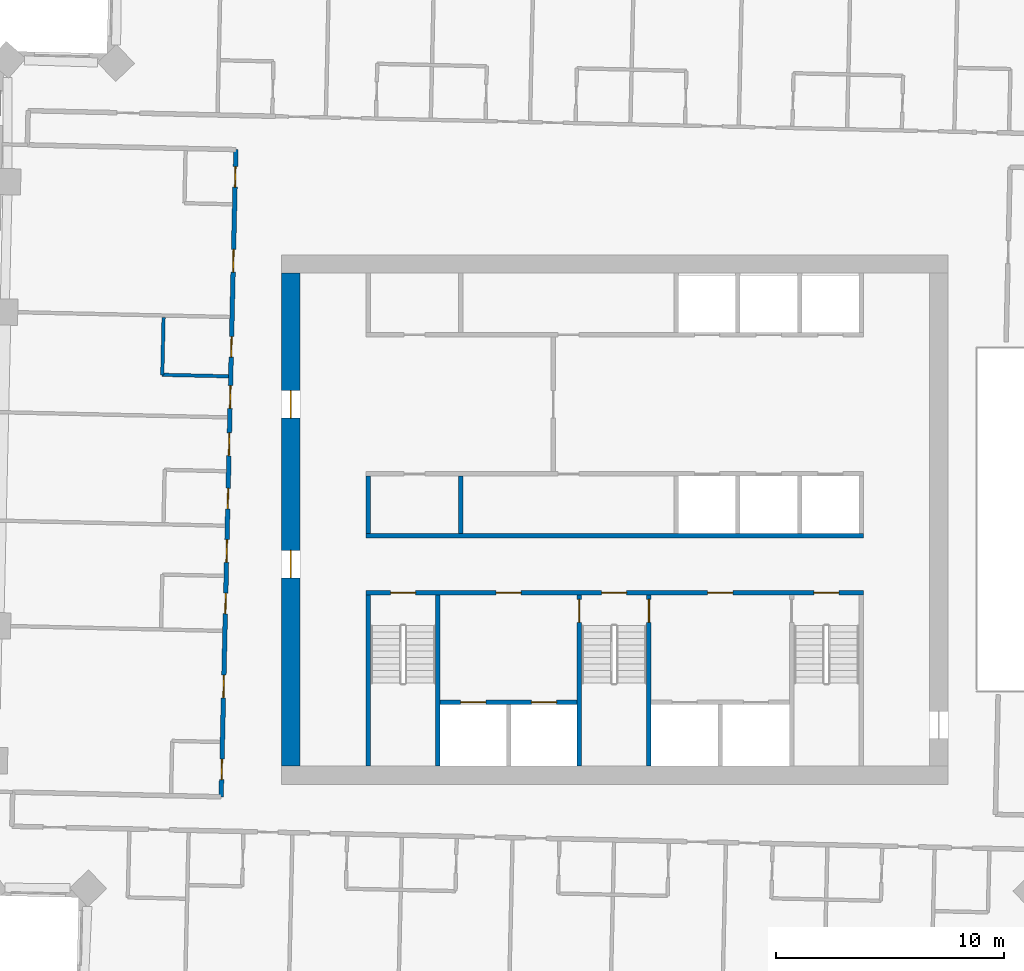
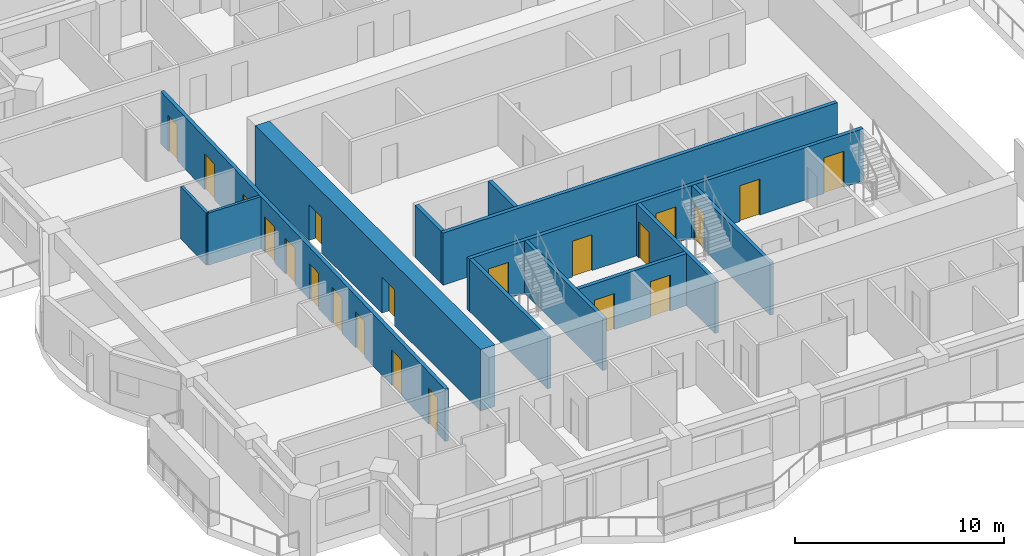
# One storey, part 8 of 16: 21 doors, 13 walls, 21 openings.
"""IFC4 building model written with IfcOpenShell, lengths in metres."""

from ifc_helpers import new_model, si_unit, direction, frame, frame_2d, origin, place, context, subcontext, project, spatial, rectangle, extrude, material, layer, layer_set, type_object, element, fill, save


model = new_model("IFC4")

# Units and contexts
model_context = context("Model", 3, precision=1e-05, world=origin(), true_north=direction((0.0, 1.0)))
body_context = subcontext(model_context, "Body", "Model", "MODEL_VIEW")
ifc_project = project(units=[si_unit("LENGTHUNIT", "METRE"), si_unit("AREAUNIT", "SQUARE_METRE"), si_unit("VOLUMEUNIT", "CUBIC_METRE"), si_unit("PLANEANGLEUNIT", "RADIAN"), si_unit("MASSUNIT", "GRAM", prefix="KILO")], contexts=[model_context])

# Site, building, storey
site_placement = place(None, origin())
site = spatial("IfcSite", under=ifc_project, at=site_placement, CompositionType="ELEMENT")
building_placement = place(site_placement, origin())
building = spatial("IfcBuilding", under=site, at=building_placement, Name="Mangrove Gate Tower", CompositionType="ELEMENT")
storey_placement = place(building_placement, frame((0.0, 0.0, 197.89990234375)))
storey = spatial("IfcBuildingStorey", under=building, at=storey_placement, Name="L50", CompositionType="ELEMENT", Elevation=197.89990234375)

# Walls
ifc_material_1 = material(Name="Concrete C32/40", Category="concrete")
ifc_layer_1 = layer(ifc_material_1, 0.199951171875)
ifc_layer_set_1 = layer_set([ifc_layer_1], Name="Core room wall 200 C32/40")
wall_type_1 = type_object("IfcWallType", Name="Core room wall 200 C32/40", PredefinedType="STANDARD", material=ifc_layer_set_1)
for number, where, z_axis, x_axis, name in (
    (1, (-10.800048828125, -0.60009765625, 0.0), (0.0, 0.0, 1.0), (0.0, 1.0, 0.0), "WALL-L50-CORE-19"),
    (2, (-6.75, -0.60009765625, 0.0), (0.0, 0.0, 1.0), (0.0, 1.0, 0.0), "WALL-L50-CORE-20"),
):
    element("IfcWall", number, at=place(storey_placement, frame(where, z_axis=z_axis, x_axis=x_axis)), inside=storey, type_object=wall_type_1, Name=name, PredefinedType="STANDARD", context=body_context, shape_type="SweptSolid", body=[
        extrude(rectangle(XDim=2.5, YDim=0.199951171875, at=frame_2d((1.25, 0.0))), origin(), (0.0, 0.0, 1.0), 3.050048828125),
    ])
ifc_material_2 = material(Name="Concrete C60/75", Category="concrete")
ifc_layer_2 = layer(ifc_material_2, 0.199951171875)
ifc_layer_set_2 = layer_set([ifc_layer_2], Name="Core shaft wall 200 C60/75")
wall_type_2 = type_object("IfcWallType", Name="Core shaft wall 200 C60/75", PredefinedType="SHEAR", material=ifc_layer_set_2)
wall_1_placement = place(storey_placement, frame((-10.89990234375, -0.699951171875, 0.0), z_axis=(0.0, 0.0, 1.0), x_axis=(1.0, 0.0, 0.0)))
element("IfcWall", 3, at=wall_1_placement, inside=storey, type_object=wall_type_2, Name="WALL-L50-CORE-6", PredefinedType="SHEAR", context=body_context, shape_type="SweptSolid", body=[
    extrude(rectangle(XDim=21.7998046875, YDim=0.199951171875, at=frame_2d((10.89990234375, 0.0))), origin(), (0.0, 0.0, 1.0), 3.050048828125),
])

# Wall, openings, doors
wall_2_placement = place(storey_placement, frame((-7.64990234375, -8.0, 0.0), z_axis=(0.0, 0.0, 1.0), x_axis=(1.0, 0.0, 0.0)))
wall_2 = element("IfcWall", 4, at=wall_2_placement, inside=storey, type_object=wall_type_2, Name="WALL-L50-CORE-15", PredefinedType="SHEAR", context=body_context, shape_type="SweptSolid", body=[
    extrude(rectangle(XDim=6.0, YDim=0.199951171875, at=frame_2d((3.0, 0.0))), origin(), (0.0, 0.0, 1.0), 3.050048828125),
])
opening_1_placement = place(wall_2_placement, frame((0.89990234375, 0.0, 0.0)))
opening_1 = element("IfcOpeningElement", 5, at=opening_1_placement, cuts=wall_2, Name="Opening LD", PredefinedType="OPENING", context=body_context, shape_type="SweptSolid", body=[
    extrude(rectangle(XDim=1.10009765625, YDim=2.10009765625, at=frame_2d((0.550048828125, 1.050048828125))), frame((0.0, 0.10986328125, 0.0), z_axis=(0.0, -1.0, 0.0), x_axis=(1.0, 0.0, 0.0)), (0.0, 0.0, 1.0), 0.219970703125),
])
opening_2_placement = place(wall_2_placement, frame((4.0, 0.0, 0.0)))
opening_2 = element("IfcOpeningElement", 6, at=opening_2_placement, cuts=wall_2, Name="Opening LD", PredefinedType="OPENING", context=body_context, shape_type="SweptSolid", body=[
    extrude(rectangle(XDim=1.10009765625, YDim=2.10009765625, at=frame_2d((0.550048828125, 1.050048828125))), frame((0.0, 0.10986328125, 0.0), z_axis=(0.0, -1.0, 0.0), x_axis=(1.0, 0.0, 0.0)), (0.0, 0.0, 1.0), 0.219970703125),
])
ifc_material_3 = material(Name="Stainless steel 316", Category="steel")
door_type_1 = type_object("IfcDoorType", Name="Lift landing door 1100x2100", OperationType="SLIDING_TO_LEFT", PredefinedType="DOOR", material=ifc_material_3)
door_1_placement = place(opening_1_placement, origin())
door_1 = element("IfcDoor", 7, at=door_1_placement, inside=storey, type_object=door_type_1, Name="Landing door LD SVL1", OperationType="SLIDING_TO_LEFT", OverallHeight=2.10009765625, OverallWidth=1.10009765625, PredefinedType="DOOR", context=body_context, shape_type="SweptSolid", body=[
    extrude(rectangle(XDim=1.10009765625, YDim=2.10009765625, at=frame_2d((0.550048828125, 1.050048828125))), frame((0.0, 0.02490234375, 0.0), z_axis=(0.0, -1.0, 0.0), x_axis=(1.0, 0.0, 0.0)), (0.0, 0.0, 1.0), 0.050048828125),
])
fill(opening_1, door_1)
door_2_placement = place(opening_2_placement, origin())
door_2 = element("IfcDoor", 8, at=door_2_placement, inside=storey, type_object=door_type_1, Name="Landing door LD SVL2", OperationType="SLIDING_TO_LEFT", OverallHeight=2.10009765625, OverallWidth=1.10009765625, PredefinedType="DOOR", context=body_context, shape_type="SweptSolid", body=[
    extrude(rectangle(XDim=1.10009765625, YDim=2.10009765625, at=frame_2d((0.550048828125, 1.050048828125))), frame((0.0, 0.02490234375, 0.0), z_axis=(0.0, -1.0, 0.0), x_axis=(1.0, 0.0, 0.0)), (0.0, 0.0, 1.0), 0.050048828125),
])
fill(opening_2, door_2)

ifc_material_4 = material(Name="Concrete C60/75", Category="concrete")
ifc_layer_3 = layer(ifc_material_4, 0.199951171875)
ifc_layer_set_3 = layer_set([ifc_layer_3], Name="Core stair wall 200 C60/75")
wall_type_3 = type_object("IfcWallType", Name="Core stair wall 200 C60/75", PredefinedType="SHEAR", material=ifc_layer_set_3)
wall_3_placement = place(storey_placement, frame((-10.89990234375, -3.199951171875, 0.0), z_axis=(0.0, 0.0, 1.0), x_axis=(1.0, 0.0, 0.0)))
wall_3 = element("IfcWall", 9, at=wall_3_placement, inside=storey, type_object=wall_type_3, Name="WALL-L50-CORE-5", PredefinedType="SHEAR", context=body_context, shape_type="SweptSolid", body=[
    extrude(rectangle(XDim=21.7998046875, YDim=0.199951171875, at=frame_2d((10.89990234375, 0.0))), origin(), (0.0, 0.0, 1.0), 3.050048828125),
])
opening_3_placement = place(wall_3_placement, frame((1.074951171875, 0.0, 0.0)))
opening_3 = element("IfcOpeningElement", 10, at=opening_3_placement, cuts=wall_3, Name="Opening STD11", PredefinedType="OPENING", context=body_context, shape_type="SweptSolid", body=[
    extrude(rectangle(XDim=1.10009765625, YDim=2.10009765625, at=frame_2d((0.550048828125, 1.050048828125))), frame((0.0, 0.10986328125, 0.0), z_axis=(0.0, -1.0, 0.0), x_axis=(1.0, 0.0, 0.0)), (0.0, 0.0, 1.0), 0.219970703125),
])
opening_4_placement = place(wall_3_placement, frame((10.324951171875, 0.0, 0.0)))
opening_4 = element("IfcOpeningElement", 11, at=opening_4_placement, cuts=wall_3, Name="Opening STD11", PredefinedType="OPENING", context=body_context, shape_type="SweptSolid", body=[
    extrude(rectangle(XDim=1.10009765625, YDim=2.10009765625, at=frame_2d((0.550048828125, 1.050048828125))), frame((0.0, 0.10986328125, 0.0), z_axis=(0.0, -1.0, 0.0), x_axis=(1.0, 0.0, 0.0)), (0.0, 0.0, 1.0), 0.219970703125),
])
opening_5_placement = place(wall_3_placement, frame((19.625, 0.0, 0.0)))
opening_5 = element("IfcOpeningElement", 12, at=opening_5_placement, cuts=wall_3, Name="Opening STD11", PredefinedType="OPENING", context=body_context, shape_type="SweptSolid", body=[
    extrude(rectangle(XDim=1.10009765625, YDim=2.10009765625, at=frame_2d((0.550048828125, 1.050048828125))), frame((0.0, 0.10986328125, 0.0), z_axis=(0.0, -1.0, 0.0), x_axis=(1.0, 0.0, 0.0)), (0.0, 0.0, 1.0), 0.219970703125),
])
opening_6_placement = place(wall_3_placement, frame((5.699951171875, 0.0, 0.0)))
opening_6 = element("IfcOpeningElement", 13, at=opening_6_placement, cuts=wall_3, Name="Opening FL", PredefinedType="OPENING", context=body_context, shape_type="SweptSolid", body=[
    extrude(rectangle(XDim=1.10009765625, YDim=2.10009765625, at=frame_2d((0.550048828125, 1.050048828125))), frame((0.0, 0.10986328125, 0.0), z_axis=(0.0, -1.0, 0.0), x_axis=(1.0, 0.0, 0.0)), (0.0, 0.0, 1.0), 0.219970703125),
])
opening_7_placement = place(wall_3_placement, frame((14.97509765625, 0.0, 0.0)))
opening_7 = element("IfcOpeningElement", 14, at=opening_7_placement, cuts=wall_3, Name="Opening FL", PredefinedType="OPENING", context=body_context, shape_type="SweptSolid", body=[
    extrude(rectangle(XDim=1.10009765625, YDim=2.10009765625, at=frame_2d((0.550048828125, 1.050048828125))), frame((0.0, 0.10986328125, 0.0), z_axis=(0.0, -1.0, 0.0), x_axis=(1.0, 0.0, 0.0)), (0.0, 0.0, 1.0), 0.219970703125),
])
ifc_material_5 = material(Name="Fire-rated steel door set", Category="steel")
door_type_2 = type_object("IfcDoorType", Name="Lobby door FD60 1100x2100", OperationType="SINGLE_SWING_LEFT", PredefinedType="DOOR", material=ifc_material_5)
door_3_placement = place(opening_6_placement, origin())
door_3 = element("IfcDoor", 15, at=door_3_placement, inside=storey, type_object=door_type_2, Name="Lobby door service lobby", OperationType="SINGLE_SWING_LEFT", OverallHeight=2.10009765625, OverallWidth=1.10009765625, PredefinedType="DOOR", context=body_context, shape_type="SweptSolid", body=[
    extrude(rectangle(XDim=1.10009765625, YDim=2.10009765625, at=frame_2d((0.550048828125, 1.050048828125))), frame((0.0, 0.02490234375, 0.0), z_axis=(0.0, -1.0, 0.0), x_axis=(1.0, 0.0, 0.0)), (0.0, 0.0, 1.0), 0.050048828125),
])
fill(opening_6, door_3)
door_4_placement = place(opening_7_placement, origin())
door_4 = element("IfcDoor", 16, at=door_4_placement, inside=storey, type_object=door_type_2, Name="Lobby door fire-fighting lobby", OperationType="SINGLE_SWING_LEFT", OverallHeight=2.10009765625, OverallWidth=1.10009765625, PredefinedType="DOOR", context=body_context, shape_type="SweptSolid", body=[
    extrude(rectangle(XDim=1.10009765625, YDim=2.10009765625, at=frame_2d((0.550048828125, 1.050048828125))), frame((0.0, 0.02490234375, 0.0), z_axis=(0.0, -1.0, 0.0), x_axis=(1.0, 0.0, 0.0)), (0.0, 0.0, 1.0), 0.050048828125),
])
fill(opening_7, door_4)
ifc_material_6 = material(Name="Fire-rated steel door set", Category="steel")
door_type_3 = type_object("IfcDoorType", Name="Stair door FD60 1100x2100", OperationType="SINGLE_SWING_RIGHT", PredefinedType="DOOR", material=ifc_material_6)
door_5_placement = place(opening_3_placement, origin())
door_5 = element("IfcDoor", 17, at=door_5_placement, inside=storey, type_object=door_type_3, Name="Stair door Stair 1", OperationType="SINGLE_SWING_RIGHT", OverallHeight=2.10009765625, OverallWidth=1.10009765625, PredefinedType="DOOR", context=body_context, shape_type="SweptSolid", body=[
    extrude(rectangle(XDim=1.10009765625, YDim=2.10009765625, at=frame_2d((0.550048828125, 1.050048828125))), frame((0.0, 0.02490234375, 0.0), z_axis=(0.0, -1.0, 0.0), x_axis=(1.0, 0.0, 0.0)), (0.0, 0.0, 1.0), 0.050048828125),
])
fill(opening_3, door_5)
door_6_placement = place(opening_4_placement, origin())
door_6 = element("IfcDoor", 18, at=door_6_placement, inside=storey, type_object=door_type_3, Name="Stair door Stair 2", OperationType="SINGLE_SWING_RIGHT", OverallHeight=2.10009765625, OverallWidth=1.10009765625, PredefinedType="DOOR", context=body_context, shape_type="SweptSolid", body=[
    extrude(rectangle(XDim=1.10009765625, YDim=2.10009765625, at=frame_2d((0.550048828125, 1.050048828125))), frame((0.0, 0.02490234375, 0.0), z_axis=(0.0, -1.0, 0.0), x_axis=(1.0, 0.0, 0.0)), (0.0, 0.0, 1.0), 0.050048828125),
])
fill(opening_4, door_6)
door_7_placement = place(opening_5_placement, origin())
door_7 = element("IfcDoor", 19, at=door_7_placement, inside=storey, type_object=door_type_3, Name="Stair door Stair 3", OperationType="SINGLE_SWING_RIGHT", OverallHeight=2.10009765625, OverallWidth=1.10009765625, PredefinedType="DOOR", context=body_context, shape_type="SweptSolid", body=[
    extrude(rectangle(XDim=1.10009765625, YDim=2.10009765625, at=frame_2d((0.550048828125, 1.050048828125))), frame((0.0, 0.02490234375, 0.0), z_axis=(0.0, -1.0, 0.0), x_axis=(1.0, 0.0, 0.0)), (0.0, 0.0, 1.0), 0.050048828125),
])
fill(opening_5, door_7)

# Walls
for number, where, z_axis, x_axis, name in (
    (20, (-10.800048828125, -10.800048828125, 0.0), (0.0, 0.0, 1.0), (0.0, 1.0, 0.0), "WALL-L50-CORE-9"),
    (21, (-7.75, -10.800048828125, 0.0), (0.0, 0.0, 1.0), (0.0, 1.0, 0.0), "WALL-L50-CORE-10"),
):
    element("IfcWall", number, at=place(storey_placement, frame(where, z_axis=z_axis, x_axis=x_axis)), inside=storey, type_object=wall_type_3, Name=name, PredefinedType="SHEAR", context=body_context, shape_type="SweptSolid", body=[
        extrude(rectangle(XDim=7.5, YDim=0.199951171875, at=frame_2d((3.75, 0.0))), origin(), (0.0, 0.0, 1.0), 3.050048828125),
    ])

# Wall, opening, door
wall_4_placement = place(storey_placement, frame((-1.550048828125, -10.800048828125, 0.0), z_axis=(0.0, 0.0, 1.0), x_axis=(0.0, 1.0, 0.0)))
wall_4 = element("IfcWall", 22, at=wall_4_placement, inside=storey, type_object=wall_type_3, Name="WALL-L50-CORE-11", PredefinedType="SHEAR", context=body_context, shape_type="SweptSolid", body=[
    extrude(rectangle(XDim=7.5, YDim=0.199951171875, at=frame_2d((3.75, 0.0))), origin(), (0.0, 0.0, 1.0), 3.050048828125),
])
opening_8_placement = place(wall_4_placement, frame((6.300048828125, 0.0, 0.0)))
opening_8 = element("IfcOpeningElement", 23, at=opening_8_placement, cuts=wall_4, Name="Opening STD10", PredefinedType="OPENING", context=body_context, shape_type="SweptSolid", body=[
    extrude(rectangle(XDim=1.0, YDim=2.10009765625, at=frame_2d((0.5, 1.050048828125))), frame((0.0, 0.10986328125, 0.0), z_axis=(0.0, -1.0, 0.0), x_axis=(1.0, 0.0, 0.0)), (0.0, 0.0, 1.0), 0.219970703125),
])
ifc_material_7 = material(Name="Fire-rated steel door set", Category="steel")
door_type_4 = type_object("IfcDoorType", Name="Stair door FD60 1000x2100", OperationType="SINGLE_SWING_RIGHT", PredefinedType="DOOR", material=ifc_material_7)
door_8_placement = place(opening_8_placement, origin())
door_8 = element("IfcDoor", 24, at=door_8_placement, inside=storey, type_object=door_type_4, Name="Stair door Stair 2 from service lobby", OperationType="SINGLE_SWING_RIGHT", OverallHeight=2.10009765625, OverallWidth=1.0, PredefinedType="DOOR", context=body_context, shape_type="SweptSolid", body=[
    extrude(rectangle(XDim=1.0, YDim=2.10009765625, at=frame_2d((0.5, 1.050048828125))), frame((0.0, 0.02490234375, 0.0), z_axis=(0.0, -1.0, 0.0), x_axis=(1.0, 0.0, 0.0)), (0.0, 0.0, 1.0), 0.050048828125),
])
fill(opening_8, door_8)

wall_5_placement = place(storey_placement, frame((1.5, -10.800048828125, 0.0), z_axis=(0.0, 0.0, 1.0), x_axis=(0.0, 1.0, 0.0)))
wall_5 = element("IfcWall", 25, at=wall_5_placement, inside=storey, type_object=wall_type_3, Name="WALL-L50-CORE-12", PredefinedType="SHEAR", context=body_context, shape_type="SweptSolid", body=[
    extrude(rectangle(XDim=7.5, YDim=0.199951171875, at=frame_2d((3.75, 0.0))), origin(), (0.0, 0.0, 1.0), 3.050048828125),
])
opening_9_placement = place(wall_5_placement, frame((6.300048828125, 0.0, 0.0)))
opening_9 = element("IfcOpeningElement", 26, at=opening_9_placement, cuts=wall_5, Name="Opening STD10", PredefinedType="OPENING", context=body_context, shape_type="SweptSolid", body=[
    extrude(rectangle(XDim=1.0, YDim=2.10009765625, at=frame_2d((0.5, 1.050048828125))), frame((0.0, 0.10986328125, 0.0), z_axis=(0.0, -1.0, 0.0), x_axis=(1.0, 0.0, 0.0)), (0.0, 0.0, 1.0), 0.219970703125),
])
door_9_placement = place(opening_9_placement, origin())
door_9 = element("IfcDoor", 27, at=door_9_placement, inside=storey, type_object=door_type_4, Name="Stair door Stair 2 from fire-fighting lobby", OperationType="SINGLE_SWING_RIGHT", OverallHeight=2.10009765625, OverallWidth=1.0, PredefinedType="DOOR", context=body_context, shape_type="SweptSolid", body=[
    extrude(rectangle(XDim=1.0, YDim=2.10009765625, at=frame_2d((0.5, 1.050048828125))), frame((0.0, 0.02490234375, 0.0), z_axis=(0.0, -1.0, 0.0), x_axis=(1.0, 0.0, 0.0)), (0.0, 0.0, 1.0), 0.050048828125),
])
fill(opening_9, door_9)

# Wall, openings, doors
ifc_material_8 = material(Name="Concrete C60/75", Category="concrete")
ifc_layer_4 = layer(ifc_material_8, 0.800048828125)
ifc_layer_set_4 = layer_set([ifc_layer_4], Name="Core wall 800 C60/75")
wall_type_4 = type_object("IfcWallType", Name="Core wall 800 C60/75", PredefinedType="SHEAR", material=ifc_layer_set_4)
wall_6_placement = place(storey_placement, frame((-14.199951171875, -10.800048828125, 0.0), z_axis=(0.0, 0.0, 1.0), x_axis=(0.0, 1.0, 0.0)))
wall_6 = element("IfcWall", 28, at=wall_6_placement, inside=storey, type_object=wall_type_4, Name="WALL-L50-CORE-3", PredefinedType="SHEAR", context=body_context, shape_type="SweptSolid", body=[
    extrude(rectangle(XDim=21.60009765625, YDim=0.800048828125, at=frame_2d((10.800048828125, 0.0))), origin(), (0.0, 0.0, 1.0), 3.60009765625),
])
opening_10_placement = place(wall_6_placement, frame((8.25, 0.0, 0.0)))
opening_10 = element("IfcOpeningElement", 29, at=opening_10_placement, cuts=wall_6, Name="Opening CD", PredefinedType="OPENING", context=body_context, shape_type="SweptSolid", body=[
    extrude(rectangle(XDim=1.199951171875, YDim=2.10009765625, at=frame_2d((0.60009765625, 1.050048828125))), frame((0.0, 0.409912109375, 0.0), z_axis=(0.0, -1.0, 0.0), x_axis=(1.0, 0.0, 0.0)), (0.0, 0.0, 1.0), 0.820068359375),
])
opening_11_placement = place(wall_6_placement, frame((15.25, 0.0, 0.0)))
opening_11 = element("IfcOpeningElement", 30, at=opening_11_placement, cuts=wall_6, Name="Opening CD", PredefinedType="OPENING", context=body_context, shape_type="SweptSolid", body=[
    extrude(rectangle(XDim=1.199951171875, YDim=2.10009765625, at=frame_2d((0.60009765625, 1.050048828125))), frame((0.0, 0.409912109375, 0.0), z_axis=(0.0, -1.0, 0.0), x_axis=(1.0, 0.0, 0.0)), (0.0, 0.0, 1.0), 0.820068359375),
])
ifc_material_9 = material(Name="Fire-rated steel door set", Category="steel")
door_type_5 = type_object("IfcDoorType", Name="Core ring door FD60 1200x2100", OperationType="DOUBLE_DOOR_SINGLE_SWING", PredefinedType="DOOR", material=ifc_material_9)
door_10_placement = place(opening_10_placement, origin())
door_10 = element("IfcDoor", 31, at=door_10_placement, inside=storey, type_object=door_type_5, Name="Core ring door W1", OperationType="DOUBLE_DOOR_SINGLE_SWING", OverallHeight=2.10009765625, OverallWidth=1.199951171875, PredefinedType="DOOR", context=body_context, shape_type="SweptSolid", body=[
    extrude(rectangle(XDim=1.199951171875, YDim=2.10009765625, at=frame_2d((0.60009765625, 1.050048828125))), frame((0.0, 0.02490234375, 0.0), z_axis=(0.0, -1.0, 0.0), x_axis=(1.0, 0.0, 0.0)), (0.0, 0.0, 1.0), 0.050048828125),
])
fill(opening_10, door_10)
door_11_placement = place(opening_11_placement, origin())
door_11 = element("IfcDoor", 32, at=door_11_placement, inside=storey, type_object=door_type_5, Name="Core ring door W2", OperationType="DOUBLE_DOOR_SINGLE_SWING", OverallHeight=2.10009765625, OverallWidth=1.199951171875, PredefinedType="DOOR", context=body_context, shape_type="SweptSolid", body=[
    extrude(rectangle(XDim=1.199951171875, YDim=2.10009765625, at=frame_2d((0.60009765625, 1.050048828125))), frame((0.0, 0.02490234375, 0.0), z_axis=(0.0, -1.0, 0.0), x_axis=(1.0, 0.0, 0.0)), (0.0, 0.0, 1.0), 0.050048828125),
])
fill(opening_11, door_11)

ifc_material_10 = material(Name="Gypsum board on steel stud, EI 60", Category="steel")
ifc_layer_5 = layer(ifc_material_10, 0.199951171875)
ifc_layer_set_5 = layer_set([ifc_layer_5], Name="Corridor wall EI 60")
wall_type_5 = type_object("IfcWallType", Name="Corridor wall EI 60", PredefinedType="PARTITIONING", material=ifc_layer_set_5)
wall_7_placement = place(storey_placement, frame((-17.2470703125, -12.14892578125, 0.0), z_axis=(0.0, 0.0, 1.0), x_axis=(0.022698146637, 0.999742363881, 0.0)))
wall_7 = element("IfcWall", 33, at=wall_7_placement, inside=storey, type_object=wall_type_5, Name="WALL-L50-030", PredefinedType="PARTITIONING", context=body_context, shape_type="SweptSolid", body=[
    extrude(rectangle(XDim=28.374267578125, YDim=0.199951171875, at=frame_2d((14.18701171875, 0.0))), origin(), (0.0, 0.0, 1.0), 3.050048828125),
])
opening_12_placement = place(wall_7_placement, frame((23.0, 0.0, 0.0)))
opening_12 = element("IfcOpeningElement", 34, at=opening_12_placement, cuts=wall_7, Name="Opening AD", PredefinedType="OPENING", context=body_context, shape_type="SweptSolid", body=[
    extrude(rectangle(XDim=1.0, YDim=2.10009765625, at=frame_2d((0.5, 1.050048828125))), frame((0.0, 0.10986328125, 0.0), z_axis=(0.0, -1.0, 0.0), x_axis=(1.0, 0.0, 0.0)), (0.0, 0.0, 1.0), 0.219970703125),
])
opening_13_placement = place(wall_7_placement, frame((26.72412109375, 0.0, 0.0)))
opening_13 = element("IfcOpeningElement", 35, at=opening_13_placement, cuts=wall_7, Name="Opening SD", PredefinedType="OPENING", context=body_context, shape_type="SweptSolid", body=[
    extrude(rectangle(XDim=0.89990234375, YDim=2.10009765625, at=frame_2d((0.449951171875, 1.050048828125))), frame((0.0, 0.10986328125, 0.0), z_axis=(0.0, -1.0, 0.0), x_axis=(1.0, 0.0, 0.0)), (0.0, 0.0, 1.0), 0.219970703125),
])
opening_14_placement = place(wall_7_placement, frame((17.02490234375, 0.0, 0.0)))
opening_14 = element("IfcOpeningElement", 36, at=opening_14_placement, cuts=wall_7, Name="Opening AD", PredefinedType="OPENING", context=body_context, shape_type="SweptSolid", body=[
    extrude(rectangle(XDim=1.0, YDim=2.10009765625, at=frame_2d((0.5, 1.050048828125))), frame((0.0, 0.10986328125, 0.0), z_axis=(0.0, -1.0, 0.0), x_axis=(1.0, 0.0, 0.0)), (0.0, 0.0, 1.0), 0.219970703125),
])
opening_15_placement = place(wall_7_placement, frame((19.27490234375, 0.0, 0.0)))
opening_15 = element("IfcOpeningElement", 37, at=opening_15_placement, cuts=wall_7, Name="Opening SD", PredefinedType="OPENING", context=body_context, shape_type="SweptSolid", body=[
    extrude(rectangle(XDim=0.89990234375, YDim=2.10009765625, at=frame_2d((0.449951171875, 1.050048828125))), frame((0.0, 0.10986328125, 0.0), z_axis=(0.0, -1.0, 0.0), x_axis=(1.0, 0.0, 0.0)), (0.0, 0.0, 1.0), 0.219970703125),
])
opening_16_placement = place(wall_7_placement, frame((14.949951171875, 0.0, 0.0)))
opening_16 = element("IfcOpeningElement", 38, at=opening_16_placement, cuts=wall_7, Name="Opening AD", PredefinedType="OPENING", context=body_context, shape_type="SweptSolid", body=[
    extrude(rectangle(XDim=1.0, YDim=2.10009765625, at=frame_2d((0.5, 1.050048828125))), frame((0.0, 0.10986328125, 0.0), z_axis=(0.0, -1.0, 0.0), x_axis=(1.0, 0.0, 0.0)), (0.0, 0.0, 1.0), 0.219970703125),
])
opening_17_placement = place(wall_7_placement, frame((12.625, 0.0, 0.0)))
opening_17 = element("IfcOpeningElement", 39, at=opening_17_placement, cuts=wall_7, Name="Opening SD", PredefinedType="OPENING", context=body_context, shape_type="SweptSolid", body=[
    extrude(rectangle(XDim=0.89990234375, YDim=2.10009765625, at=frame_2d((0.449951171875, 1.050048828125))), frame((0.0, 0.10986328125, 0.0), z_axis=(0.0, -1.0, 0.0), x_axis=(1.0, 0.0, 0.0)), (0.0, 0.0, 1.0), 0.219970703125),
])
opening_18_placement = place(wall_7_placement, frame((10.27490234375, 0.0, 0.0)))
opening_18 = element("IfcOpeningElement", 40, at=opening_18_placement, cuts=wall_7, Name="Opening AD", PredefinedType="OPENING", context=body_context, shape_type="SweptSolid", body=[
    extrude(rectangle(XDim=1.0, YDim=2.10009765625, at=frame_2d((0.5, 1.050048828125))), frame((0.0, 0.10986328125, 0.0), z_axis=(0.0, -1.0, 0.0), x_axis=(1.0, 0.0, 0.0)), (0.0, 0.0, 1.0), 0.219970703125),
])
opening_19_placement = place(wall_7_placement, frame((8.02490234375, 0.0, 0.0)))
opening_19 = element("IfcOpeningElement", 41, at=opening_19_placement, cuts=wall_7, Name="Opening SD", PredefinedType="OPENING", context=body_context, shape_type="SweptSolid", body=[
    extrude(rectangle(XDim=0.89990234375, YDim=2.10009765625, at=frame_2d((0.449951171875, 1.050048828125))), frame((0.0, 0.10986328125, 0.0), z_axis=(0.0, -1.0, 0.0), x_axis=(1.0, 0.0, 0.0)), (0.0, 0.0, 1.0), 0.219970703125),
])
opening_20_placement = place(wall_7_placement, frame((4.3369140625, 0.0, 0.0)))
opening_20 = element("IfcOpeningElement", 42, at=opening_20_placement, cuts=wall_7, Name="Opening AD", PredefinedType="OPENING", context=body_context, shape_type="SweptSolid", body=[
    extrude(rectangle(XDim=1.0, YDim=2.10009765625, at=frame_2d((0.5, 1.050048828125))), frame((0.0, 0.10986328125, 0.0), z_axis=(0.0, -1.0, 0.0), x_axis=(1.0, 0.0, 0.0)), (0.0, 0.0, 1.0), 0.219970703125),
])
opening_21_placement = place(wall_7_placement, frame((0.75, 0.0, 0.0)))
opening_21 = element("IfcOpeningElement", 43, at=opening_21_placement, cuts=wall_7, Name="Opening SD", PredefinedType="OPENING", context=body_context, shape_type="SweptSolid", body=[
    extrude(rectangle(XDim=0.89990234375, YDim=2.10009765625, at=frame_2d((0.449951171875, 1.050048828125))), frame((0.0, 0.10986328125, 0.0), z_axis=(0.0, -1.0, 0.0), x_axis=(1.0, 0.0, 0.0)), (0.0, 0.0, 1.0), 0.219970703125),
])
ifc_material_11 = material(Name="Timber door leaf", Category="wood")
door_type_6 = type_object("IfcDoorType", Name="Amenity door 1000", OperationType="SINGLE_SWING_LEFT", PredefinedType="DOOR", material=ifc_material_11)
door_12_placement = place(opening_12_placement, origin())
door_12 = element("IfcDoor", 44, at=door_12_placement, inside=storey, type_object=door_type_6, Name="DOOR-L50-LNG-c5a", OperationType="SINGLE_SWING_LEFT", OverallHeight=2.10009765625, OverallWidth=1.0, PredefinedType="DOOR", context=body_context, shape_type="SweptSolid", body=[
    extrude(rectangle(XDim=1.0, YDim=2.10009765625, at=frame_2d((0.5, 1.050048828125))), frame((0.0, 0.02490234375, 0.0), z_axis=(0.0, -1.0, 0.0), x_axis=(1.0, 0.0, 0.0)), (0.0, 0.0, 1.0), 0.050048828125),
])
fill(opening_12, door_12)
door_13_placement = place(opening_14_placement, origin())
door_13 = element("IfcDoor", 45, at=door_13_placement, inside=storey, type_object=door_type_6, Name="DOOR-L50-STU-c5a", OperationType="SINGLE_SWING_RIGHT", OverallHeight=2.10009765625, OverallWidth=1.0, PredefinedType="DOOR", context=body_context, shape_type="SweptSolid", body=[
    extrude(rectangle(XDim=1.0, YDim=2.10009765625, at=frame_2d((0.5, 1.050048828125))), frame((0.0, 0.02490234375, 0.0), z_axis=(0.0, -1.0, 0.0), x_axis=(1.0, 0.0, 0.0)), (0.0, 0.0, 1.0), 0.050048828125),
])
fill(opening_14, door_13)
door_14_placement = place(opening_16_placement, origin())
door_14 = element("IfcDoor", 46, at=door_14_placement, inside=storey, type_object=door_type_6, Name="DOOR-L50-LNG-c5b", OperationType="SINGLE_SWING_LEFT", OverallHeight=2.10009765625, OverallWidth=1.0, PredefinedType="DOOR", context=body_context, shape_type="SweptSolid", body=[
    extrude(rectangle(XDim=1.0, YDim=2.10009765625, at=frame_2d((0.5, 1.050048828125))), frame((0.0, 0.02490234375, 0.0), z_axis=(0.0, -1.0, 0.0), x_axis=(1.0, 0.0, 0.0)), (0.0, 0.0, 1.0), 0.050048828125),
])
fill(opening_16, door_14)
door_15_placement = place(opening_18_placement, origin())
door_15 = element("IfcDoor", 47, at=door_15_placement, inside=storey, type_object=door_type_6, Name="DOOR-L50-GAM-c5b", OperationType="SINGLE_SWING_RIGHT", OverallHeight=2.10009765625, OverallWidth=1.0, PredefinedType="DOOR", context=body_context, shape_type="SweptSolid", body=[
    extrude(rectangle(XDim=1.0, YDim=2.10009765625, at=frame_2d((0.5, 1.050048828125))), frame((0.0, 0.02490234375, 0.0), z_axis=(0.0, -1.0, 0.0), x_axis=(1.0, 0.0, 0.0)), (0.0, 0.0, 1.0), 0.050048828125),
])
fill(opening_18, door_15)
door_16_placement = place(opening_20_placement, origin())
door_16 = element("IfcDoor", 48, at=door_16_placement, inside=storey, type_object=door_type_6, Name="DOOR-L50-LNG-c5c", OperationType="SINGLE_SWING_LEFT", OverallHeight=2.10009765625, OverallWidth=1.0, PredefinedType="DOOR", context=body_context, shape_type="SweptSolid", body=[
    extrude(rectangle(XDim=1.0, YDim=2.10009765625, at=frame_2d((0.5, 1.050048828125))), frame((0.0, 0.02490234375, 0.0), z_axis=(0.0, -1.0, 0.0), x_axis=(1.0, 0.0, 0.0)), (0.0, 0.0, 1.0), 0.050048828125),
])
fill(opening_20, door_16)
ifc_material_12 = material(Name="Timber door leaf", Category="wood")
door_type_7 = type_object("IfcDoorType", Name="Service room door 900", OperationType="SINGLE_SWING_LEFT", PredefinedType="DOOR", material=ifc_material_12)
door_17_placement = place(opening_13_placement, origin())
door_17 = element("IfcDoor", 49, at=door_17_placement, inside=storey, type_object=door_type_7, Name="DOOR-L50-LIN-c5a", OperationType="SINGLE_SWING_RIGHT", OverallHeight=2.10009765625, OverallWidth=0.89990234375, PredefinedType="DOOR", context=body_context, shape_type="SweptSolid", body=[
    extrude(rectangle(XDim=0.89990234375, YDim=2.10009765625, at=frame_2d((0.449951171875, 1.050048828125))), frame((0.0, 0.02490234375, 0.0), z_axis=(0.0, -1.0, 0.0), x_axis=(1.0, 0.0, 0.0)), (0.0, 0.0, 1.0), 0.050048828125),
])
fill(opening_13, door_17)
door_18_placement = place(opening_15_placement, origin())
door_18 = element("IfcDoor", 50, at=door_18_placement, inside=storey, type_object=door_type_7, Name="DOOR-L50-AWC-c5a", OperationType="SINGLE_SWING_LEFT", OverallHeight=2.10009765625, OverallWidth=0.89990234375, PredefinedType="DOOR", context=body_context, shape_type="SweptSolid", body=[
    extrude(rectangle(XDim=0.89990234375, YDim=2.10009765625, at=frame_2d((0.449951171875, 1.050048828125))), frame((0.0, 0.02490234375, 0.0), z_axis=(0.0, -1.0, 0.0), x_axis=(1.0, 0.0, 0.0)), (0.0, 0.0, 1.0), 0.050048828125),
])
fill(opening_15, door_18)
door_19_placement = place(opening_17_placement, origin())
door_19 = element("IfcDoor", 51, at=door_19_placement, inside=storey, type_object=door_type_7, Name="DOOR-L50-WC-c5a", OperationType="SINGLE_SWING_RIGHT", OverallHeight=2.10009765625, OverallWidth=0.89990234375, PredefinedType="DOOR", context=body_context, shape_type="SweptSolid", body=[
    extrude(rectangle(XDim=0.89990234375, YDim=2.10009765625, at=frame_2d((0.449951171875, 1.050048828125))), frame((0.0, 0.02490234375, 0.0), z_axis=(0.0, -1.0, 0.0), x_axis=(1.0, 0.0, 0.0)), (0.0, 0.0, 1.0), 0.050048828125),
])
fill(opening_17, door_19)
door_20_placement = place(opening_19_placement, origin())
door_20 = element("IfcDoor", 52, at=door_20_placement, inside=storey, type_object=door_type_7, Name="DOOR-L50-WC-c5b", OperationType="SINGLE_SWING_LEFT", OverallHeight=2.10009765625, OverallWidth=0.89990234375, PredefinedType="DOOR", context=body_context, shape_type="SweptSolid", body=[
    extrude(rectangle(XDim=0.89990234375, YDim=2.10009765625, at=frame_2d((0.449951171875, 1.050048828125))), frame((0.0, 0.02490234375, 0.0), z_axis=(0.0, -1.0, 0.0), x_axis=(1.0, 0.0, 0.0)), (0.0, 0.0, 1.0), 0.050048828125),
])
fill(opening_19, door_20)
door_21_placement = place(opening_21_placement, origin())
door_21 = element("IfcDoor", 53, at=door_21_placement, inside=storey, type_object=door_type_7, Name="DOOR-L50-LIN-c5b", OperationType="SINGLE_SWING_RIGHT", OverallHeight=2.10009765625, OverallWidth=0.89990234375, PredefinedType="DOOR", context=body_context, shape_type="SweptSolid", body=[
    extrude(rectangle(XDim=0.89990234375, YDim=2.10009765625, at=frame_2d((0.449951171875, 1.050048828125))), frame((0.0, 0.02490234375, 0.0), z_axis=(0.0, -1.0, 0.0), x_axis=(1.0, 0.0, 0.0)), (0.0, 0.0, 1.0), 0.050048828125),
])
fill(opening_21, door_21)

# Walls
ifc_material_13 = material(Name="Gypsum board on steel stud, EI 60", Category="steel")
ifc_layer_6 = layer(ifc_material_13, 0.14990234375)
ifc_layer_set_6 = layer_set([ifc_layer_6], Name="Party wall 150 EI 60")
wall_type_6 = type_object("IfcWallType", Name="Party wall 150 EI 60", PredefinedType="PARTITIONING", material=ifc_layer_set_6)
wall_8_placement = place(storey_placement, frame((-19.827880859375, 6.340087890625, 0.0), z_axis=(0.0, 0.0, 1.0), x_axis=(0.022532486354, 0.9997461113, 0.0)))
element("IfcWall", 54, at=wall_8_placement, inside=storey, type_object=wall_type_6, Name="WALL-L50-042", PredefinedType="PARTITIONING", context=body_context, shape_type="SweptSolid", body=[
    extrude(rectangle(XDim=2.524658203125, YDim=0.14990234375, at=frame_2d((1.26220703125, 0.0))), origin(), (0.0, 0.0, 1.0), 3.050048828125),
])
wall_9_placement = place(storey_placement, frame((-19.8291015625, 6.344970703125, 0.0), z_axis=(0.0, 0.0, 1.0), x_axis=(0.999741618182, -0.022730967319, 0.0)))
element("IfcWall", 55, at=wall_9_placement, inside=storey, type_object=wall_type_6, Name="WALL-L50-043", PredefinedType="PARTITIONING", context=body_context, shape_type="SweptSolid", body=[
    extrude(rectangle(XDim=2.89990234375, YDim=0.14990234375, at=frame_2d((1.449951171875, 0.0))), origin(), (0.0, 0.0, 1.0), 3.050048828125),
])

save(model, "model.ifc")
